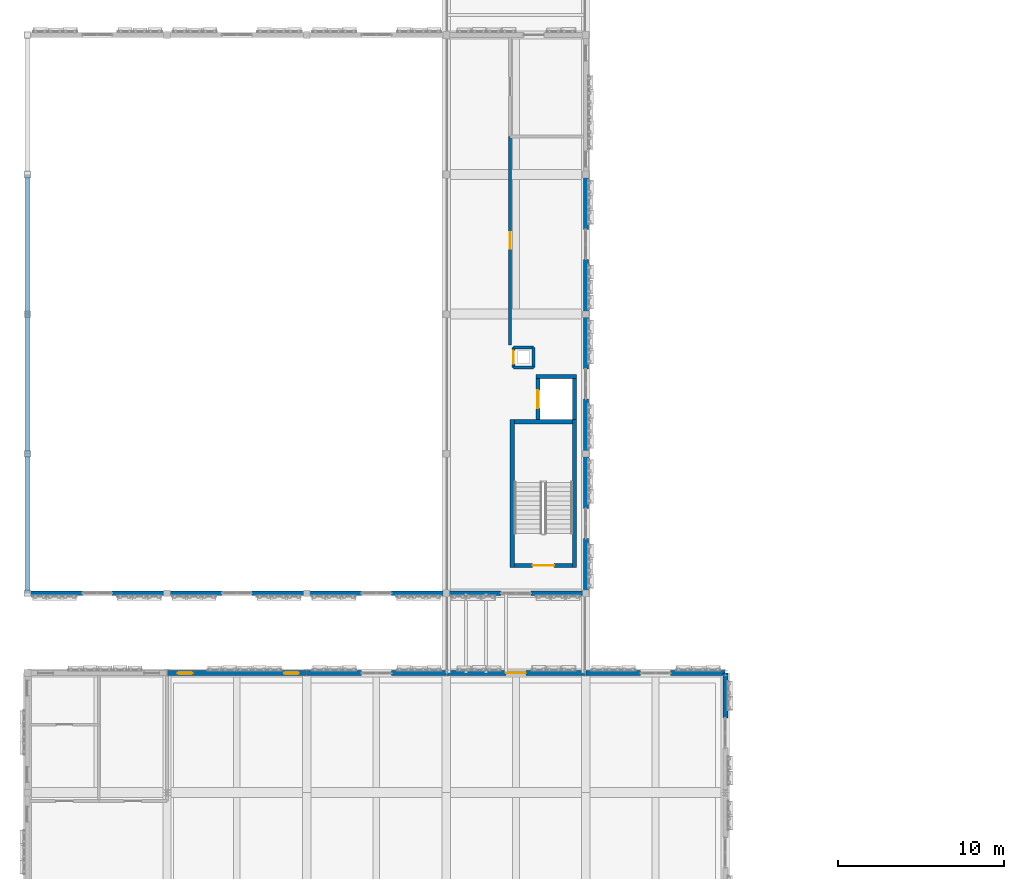
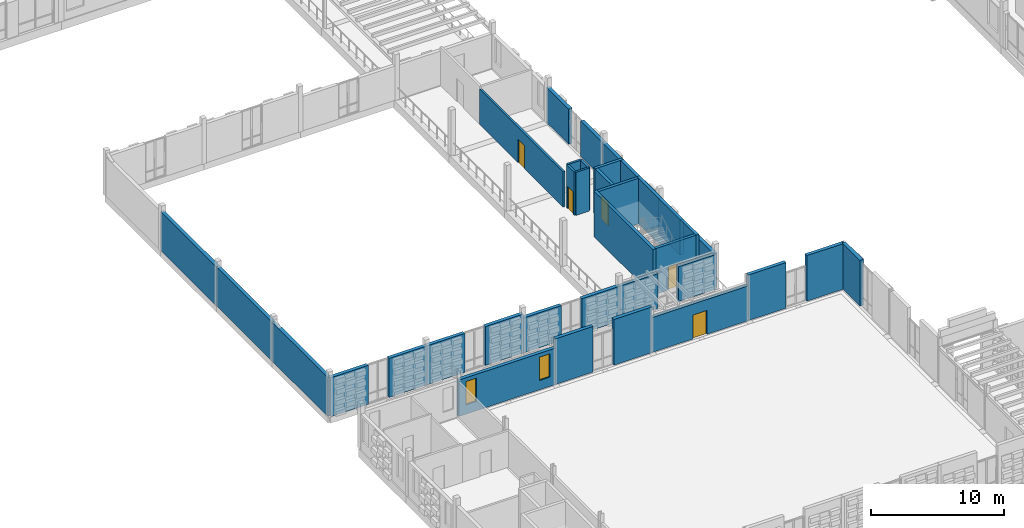
# One storey, part 66 of 99: 36 walls, 5 doors, 2 windows, 7 openings.
"""IFC4 building model written with IfcOpenShell, lengths in metres."""

from ifc_helpers import new_model, si_unit, direction, frame, frame_2d, origin, place, context, subcontext, project, spatial, rectangle, extrude, material, layer, layer_set, type_object, element, fill, save


model = new_model("IFC4")

# Units and contexts
model_context = context("Model", 3, precision=1e-05, world=origin(), true_north=direction((0.0, 1.0)))
body_context = subcontext(model_context, "Body", "Model", "MODEL_VIEW")
ifc_project = project(units=[si_unit("LENGTHUNIT", "METRE"), si_unit("AREAUNIT", "SQUARE_METRE"), si_unit("VOLUMEUNIT", "CUBIC_METRE"), si_unit("PLANEANGLEUNIT", "RADIAN"), si_unit("MASSUNIT", "GRAM", prefix="KILO")], contexts=[model_context])

# Site, building, storey
site_placement = place(None, origin())
site = spatial("IfcSite", under=ifc_project, at=site_placement, CompositionType="ELEMENT")
building_placement = place(site_placement, origin())
building = spatial("IfcBuilding", under=site, at=building_placement, Name="Kahlenmark Community Centre", CompositionType="ELEMENT")
storey_placement = place(building_placement, frame((0.0, 0.0, 5.39990234375)))
storey = spatial("IfcBuildingStorey", under=building, at=storey_placement, Name="L01", CompositionType="ELEMENT", Elevation=5.39990234375)

# Wall, opening, door
ifc_material_1 = material(Name="Concrete C35/45", Category="concrete")
ifc_layer_1 = layer(ifc_material_1, 0.25)
ifc_layer_set_1 = layer_set([ifc_layer_1], Name="Concrete C35/45")
wall_type_1 = type_object("IfcWallType", Name="WT-CORE-250", PredefinedType="SHEAR", material=ifc_layer_set_1)
wall_1_placement = place(storey_placement, frame((33.300048828125, 44.074951171875, 0.0), z_axis=(0.0, 0.0, 1.0), x_axis=(1.0, 0.0, 0.0)))
wall_1 = element("IfcWall", 1, at=wall_1_placement, inside=storey, type_object=wall_type_1, Name="Core K2 shear wall WL-CORE-K2-L01-0050", PredefinedType="SHEAR", context=body_context, shape_type="SweptSolid", body=[
    extrude(rectangle(XDim=3.5, YDim=0.25, at=frame_2d((1.75, 0.0))), origin(), (0.0, 0.0, 1.0), 4.2001953125),
])
opening_1_placement = place(wall_1_placement, frame((1.10009765625, 0.0, -0.010009765625)))
opening_1 = element("IfcOpeningElement", 2, at=opening_1_placement, cuts=wall_1, Name="Opening FD-K2-L01", PredefinedType="OPENING", context=body_context, shape_type="SweptSolid", body=[
    extrude(rectangle(XDim=1.300048828125, YDim=2.159912109375, at=frame_2d((0.64990234375, 1.080078125))), frame((0.0, 0.135009765625, 0.0), z_axis=(0.0, -1.0, 0.0), x_axis=(1.0, 0.0, 0.0)), (0.0, 0.0, 1.0), 0.27001953125),
])
ifc_material_2 = material(Name="Fire-rated steel-framed timber door FD60S", Category="steel")
door_type_1 = type_object("IfcDoorType", Name="DT-FD-K2-L01", OperationType="NOTDEFINED", PredefinedType="DOOR", material=ifc_material_2)
door_1_placement = place(opening_1_placement, frame((0.0, 0.0, 0.010009765625)))
door_1 = element("IfcDoor", 3, at=door_1_placement, inside=storey, type_object=door_type_1, Name="Core K2 stair fire door L01", OperationType="SINGLE_SWING_RIGHT", OverallHeight=2.14990234375, OverallWidth=1.300048828125, PredefinedType="DOOR", context=body_context, shape_type="SweptSolid", body=[
    extrude(rectangle(XDim=1.300048828125, YDim=2.14990234375, at=frame_2d((0.64990234375, 1.074951171875))), frame((0.0, 0.02490234375, 0.0), z_axis=(0.0, -1.0, 0.0), x_axis=(1.0, 0.0, 0.0)), (0.0, 0.0, 1.0), 0.050048828125),
])
fill(opening_1, door_1)

# Walls
wall_2_placement = place(storey_placement, frame((33.175048828125, 43.949951171875, 0.0), z_axis=(0.0, 0.0, 1.0), x_axis=(0.0, 1.0, 0.0)))
element("IfcWall", 4, at=wall_2_placement, inside=storey, type_object=wall_type_1, Name="Core K2 shear wall WL-CORE-K2-L01-0051", PredefinedType="SHEAR", context=body_context, shape_type="SweptSolid", body=[
    extrude(rectangle(XDim=8.900146484375, YDim=0.25, at=frame_2d((4.4501953125, 0.0))), origin(), (0.0, 0.0, 1.0), 4.2001953125),
])
wall_3_placement = place(storey_placement, frame((36.800048828125, 52.72509765625, 0.0), z_axis=(0.0, 0.0, 1.0), x_axis=(-1.0, 0.0, 0.0)))
element("IfcWall", 5, at=wall_3_placement, inside=storey, type_object=wall_type_1, Name="Core K2 shear wall WL-CORE-K2-L01-0052", PredefinedType="SHEAR", context=body_context, shape_type="SweptSolid", body=[
    extrude(rectangle(XDim=3.5, YDim=0.25, at=frame_2d((1.75, 0.0))), origin(), (0.0, 0.0, 1.0), 4.2001953125),
])
wall_4_placement = place(storey_placement, frame((36.925048828125, 43.949951171875, 0.0), z_axis=(0.0, 0.0, 1.0), x_axis=(0.0, 1.0, 0.0)))
element("IfcWall", 6, at=wall_4_placement, inside=storey, type_object=wall_type_1, Name="Core K2 shear wall WL-CORE-K2-L01-0053", PredefinedType="SHEAR", context=body_context, shape_type="SweptSolid", body=[
    extrude(rectangle(XDim=8.900146484375, YDim=0.25, at=frame_2d((4.4501953125, 0.0))), origin(), (0.0, 0.0, 1.0), 4.2001953125),
])
wall_5_placement = place(storey_placement, frame((34.590087890625, 55.43505859375, 0.0), z_axis=(0.0, 0.0, 1.0), x_axis=(1.0, 0.0, 0.0)))
element("IfcWall", 7, at=wall_5_placement, inside=storey, type_object=wall_type_1, Name="Core K2 shear wall WL-CORE-K2-L01-0054", PredefinedType="SHEAR", context=body_context, shape_type="SweptSolid", body=[
    extrude(rectangle(XDim=2.4599609375, YDim=0.25, at=frame_2d((1.22998046875, 0.0))), origin(), (0.0, 0.0, 1.0), 4.2001953125),
])

# Wall, opening, door
wall_6_placement = place(storey_placement, frame((34.715087890625, 52.85009765625, 0.0), z_axis=(0.0, 0.0, 1.0), x_axis=(0.0, 1.0, 0.0)))
wall_6 = element("IfcWall", 8, at=wall_6_placement, inside=storey, type_object=wall_type_1, Name="Core K2 shear wall WL-CORE-K2-L01-0055", PredefinedType="SHEAR", context=body_context, shape_type="SweptSolid", body=[
    extrude(rectangle(XDim=2.4599609375, YDim=0.25, at=frame_2d((1.22998046875, 0.0))), origin(), (0.0, 0.0, 1.0), 4.2001953125),
])
opening_2_placement = place(wall_6_placement, frame((0.679931640625, 0.0, -0.010009765625)))
opening_2 = element("IfcOpeningElement", 9, at=opening_2_placement, cuts=wall_6, Name="Opening LD-2", PredefinedType="OPENING", context=body_context, shape_type="SweptSolid", body=[
    extrude(rectangle(XDim=1.10009765625, YDim=2.159912109375, at=frame_2d((0.550048828125, 1.080078125))), frame((0.0, 0.135009765625, 0.0), z_axis=(0.0, -1.0, 0.0), x_axis=(1.0, 0.0, 0.0)), (0.0, 0.0, 1.0), 0.27001953125),
])
ifc_material_3 = material(Name="Brushed stainless steel sliding lift landing door", Category="steel")
door_type_2 = type_object("IfcDoorType", Name="DT-LD-K2", OperationType="SLIDING_TO_LEFT", PredefinedType="DOOR", material=ifc_material_3)
door_2_placement = place(opening_2_placement, frame((0.0, 0.0, 0.010009765625)))
door_2 = element("IfcDoor", 10, at=door_2_placement, inside=storey, type_object=door_type_2, Name="Lift LF-02 sliding landing door L01", OperationType="SLIDING_TO_LEFT", OverallHeight=2.14990234375, OverallWidth=1.10009765625, PredefinedType="DOOR", context=body_context, shape_type="SweptSolid", body=[
    extrude(rectangle(XDim=1.10009765625, YDim=2.14990234375, at=frame_2d((0.550048828125, 1.074951171875))), frame((0.0, 0.02490234375, 0.0), z_axis=(0.0, -1.0, 0.0), x_axis=(1.0, 0.0, 0.0)), (0.0, 0.0, 1.0), 0.050048828125),
])
fill(opening_2, door_2)

# Wall
wall_7_placement = place(storey_placement, frame((36.925048828125, 52.85009765625, 0.0), z_axis=(0.0, 0.0, 1.0), x_axis=(0.0, 1.0, 0.0)))
element("IfcWall", 11, at=wall_7_placement, inside=storey, type_object=wall_type_1, Name="Core K2 shear wall WL-CORE-K2-L01-0056", PredefinedType="SHEAR", context=body_context, shape_type="SweptSolid", body=[
    extrude(rectangle(XDim=2.7099609375, YDim=0.25, at=frame_2d((1.35498046875, 0.0))), origin(), (0.0, 0.0, 1.0), 4.2001953125),
])

# Wall, openings, windows
ifc_material_4 = material(Name="Cross-laminated timber CLT C24", Category="wood")
ifc_layer_2 = layer(ifc_material_4, 0.300048828125)
ifc_layer_set_2 = layer_set([ifc_layer_2], Name="Cross-laminated timber CLT C24")
wall_type_2 = type_object("IfcWallType", Name="WT-EW-300", PredefinedType="SOLIDWALL", material=ifc_layer_set_2)
wall_8_placement = place(storey_placement, frame((20.800048828125, 37.60009765625, 0.0), z_axis=(0.0, 0.0, 1.0), x_axis=(-1.0, 0.0, 0.0)))
wall_8 = element("IfcWall", 12, at=wall_8_placement, inside=storey, type_object=wall_type_2, Name="Exterior wall WL-EXT-L01-0254", PredefinedType="SOLIDWALL", context=body_context, shape_type="SweptSolid", body=[
    extrude(rectangle(XDim=8.400146484375, YDim=0.300048828125, at=frame_2d((4.2001953125, 0.0))), origin(), (0.0, 0.0, 1.0), 3.35009765625),
])
opening_3_placement = place(wall_8_placement, frame((0.4599609375, 0.0, 0.85009765625)))
opening_3 = element("IfcOpeningElement", 13, at=opening_3_placement, cuts=wall_8, Name="Opening W-090X215", PredefinedType="OPENING", context=body_context, shape_type="SweptSolid", body=[
    extrude(rectangle(XDim=0.89990234375, YDim=2.14990234375, at=frame_2d((0.449951171875, 1.074951171875))), frame((0.0, 0.159912109375, 0.0), z_axis=(0.0, -1.0, 0.0), x_axis=(1.0, 0.0, 0.0)), (0.0, 0.0, 1.0), 0.320068359375),
])
opening_4_placement = place(wall_8_placement, frame((6.860107421875, 0.0, 0.85009765625)))
opening_4 = element("IfcOpeningElement", 14, at=opening_4_placement, cuts=wall_8, Name="Opening W-090X215", PredefinedType="OPENING", context=body_context, shape_type="SweptSolid", body=[
    extrude(rectangle(XDim=0.89990234375, YDim=2.14990234375, at=frame_2d((0.449951171875, 1.074951171875))), frame((0.0, 0.159912109375, 0.0), z_axis=(0.0, -1.0, 0.0), x_axis=(1.0, 0.0, 0.0)), (0.0, 0.0, 1.0), 0.320068359375),
])
ifc_material_5 = material(Name="Recessed basketweave aperture triple glazing", Category="glass")
window_type = type_object("IfcWindowType", Name="WNT-090X215", PartitioningType="SINGLE_PANEL", PredefinedType="WINDOW", material=ifc_material_5)
window_1_placement = place(opening_3_placement, origin())
window_1 = element("IfcWindow", 15, at=window_1_placement, inside=storey, type_object=window_type, Name="Window W-090X215 #0171", OverallHeight=2.14990234375, OverallWidth=0.89990234375, PartitioningType="SINGLE_PANEL", PredefinedType="WINDOW", context=body_context, shape_type="SweptSolid", body=[
    extrude(rectangle(XDim=0.89990234375, YDim=2.14990234375, at=frame_2d((0.449951171875, 1.074951171875))), frame((0.0, 0.030029296875, 0.0), z_axis=(0.0, -1.0, 0.0), x_axis=(1.0, 0.0, 0.0)), (0.0, 0.0, 1.0), 0.06005859375),
])
fill(opening_3, window_1)
window_2_placement = place(opening_4_placement, origin())
window_2 = element("IfcWindow", 16, at=window_2_placement, inside=storey, type_object=window_type, Name="Window W-090X215 #0172", OverallHeight=2.14990234375, OverallWidth=0.89990234375, PartitioningType="SINGLE_PANEL", PredefinedType="WINDOW", context=body_context, shape_type="SweptSolid", body=[
    extrude(rectangle(XDim=0.89990234375, YDim=2.14990234375, at=frame_2d((0.449951171875, 1.074951171875))), frame((0.0, 0.030029296875, 0.0), z_axis=(0.0, -1.0, 0.0), x_axis=(1.0, 0.0, 0.0)), (0.0, 0.0, 1.0), 0.06005859375),
])
fill(opening_4, window_2)

# Walls
for number, where, z_axis, x_axis, name in (
    (17, (29.199951171875, 37.60009765625, 0.0), (0.0, 0.0, 1.0), (-1.0, 0.0, 0.0), "Basketweave backup wall WL-EXT-L01-0255"),
    (18, (24.10009765625, 37.60009765625, 0.0), (0.0, 0.0, 1.0), (-1.0, 0.0, 0.0), "Basketweave backup wall WL-EXT-L01-0256"),
):
    element("IfcWall", number, at=place(storey_placement, frame(where, z_axis=z_axis, x_axis=x_axis)), inside=storey, type_object=wall_type_2, Name=name, PredefinedType="SOLIDWALL", context=body_context, shape_type="SweptSolid", body=[
        extrude(rectangle(XDim=3.300048828125, YDim=0.300048828125, at=frame_2d((1.64990234375, 0.0))), origin(), (0.0, 0.0, 1.0), 4.2001953125),
    ])

# Wall, opening, door
wall_9_placement = place(storey_placement, frame((37.60009765625, 37.60009765625, 0.0), z_axis=(0.0, 0.0, 1.0), x_axis=(-1.0, 0.0, 0.0)))
wall_9 = element("IfcWall", 19, at=wall_9_placement, inside=storey, type_object=wall_type_2, Name="Exterior wall WL-EXT-L01-0257", PredefinedType="SOLIDWALL", context=body_context, shape_type="SweptSolid", body=[
    extrude(rectangle(XDim=8.400146484375, YDim=0.300048828125, at=frame_2d((4.2001953125, 0.0))), origin(), (0.0, 0.0, 1.0), 3.210205078125),
])
opening_5_placement = place(wall_9_placement, frame((3.60009765625, 0.0, -0.010009765625)))
opening_5 = element("IfcOpeningElement", 20, at=opening_5_placement, cuts=wall_9, Name="Opening D-TER07", PredefinedType="OPENING", context=body_context, shape_type="SweptSolid", body=[
    extrude(rectangle(XDim=1.199951171875, YDim=2.2099609375, at=frame_2d((0.60009765625, 1.10498046875))), frame((0.0, 0.159912109375, 0.0), z_axis=(0.0, -1.0, 0.0), x_axis=(1.0, 0.0, 0.0)), (0.0, 0.0, 1.0), 0.320068359375),
])
ifc_material_6 = material(Name="Thermally broken glazed aluminium terrace door", Category="aluminium")
door_type_3 = type_object("IfcDoorType", Name="DT-EXT-120X220", OperationType="NOTDEFINED", PredefinedType="DOOR", material=ifc_material_6)
door_3_placement = place(opening_5_placement, frame((0.0, 0.0, 0.010009765625)))
door_3 = element("IfcDoor", 21, at=door_3_placement, inside=storey, type_object=door_type_3, Name="Exterior door D-TER07", OperationType="SINGLE_SWING_LEFT", OverallHeight=2.199951171875, OverallWidth=1.199951171875, PredefinedType="DOOR", context=body_context, shape_type="SweptSolid", body=[
    extrude(rectangle(XDim=1.199951171875, YDim=2.199951171875, at=frame_2d((0.60009765625, 1.10009765625))), frame((0.0, 0.02490234375, 0.0), z_axis=(0.0, -1.0, 0.0), x_axis=(1.0, 0.0, 0.0)), (0.0, 0.0, 1.0), 0.050048828125),
])
fill(opening_5, door_3)

# Walls
wall_10_placement = place(storey_placement, frame((46.0, 37.60009765625, 0.0), z_axis=(0.0, 0.0, 1.0), x_axis=(-1.0, 0.0, 0.0)))
element("IfcWall", 22, at=wall_10_placement, inside=storey, type_object=wall_type_2, Name="Basketweave backup wall WL-EXT-L01-0258", PredefinedType="SOLIDWALL", context=body_context, shape_type="SweptSolid", body=[
    extrude(rectangle(XDim=3.300048828125, YDim=0.300048828125, at=frame_2d((1.64990234375, 0.0))), origin(), (0.0, 0.0, 1.0), 4.2001953125),
])
wall_11_placement = place(storey_placement, frame((40.89990234375, 37.60009765625, 0.0), z_axis=(0.0, 0.0, 1.0), x_axis=(-1.0, 0.0, 0.0)))
element("IfcWall", 23, at=wall_11_placement, inside=storey, type_object=wall_type_2, Name="Basketweave backup wall WL-EXT-L01-0259", PredefinedType="SOLIDWALL", context=body_context, shape_type="SweptSolid", body=[
    extrude(rectangle(XDim=3.2998046875, YDim=0.300048828125, at=frame_2d((1.64990234375, 0.0))), origin(), (0.0, 0.0, 1.0), 4.2001953125),
])
wall_12_placement = place(storey_placement, frame((46.0, 34.89990234375, 0.0), z_axis=(0.0, 0.0, 1.0), x_axis=(0.0, 1.0, 0.0)))
element("IfcWall", 24, at=wall_12_placement, inside=storey, type_object=wall_type_2, Name="Basketweave backup wall WL-EXT-L01-0270", PredefinedType="SOLIDWALL", context=body_context, shape_type="SweptSolid", body=[
    extrude(rectangle(XDim=2.7001953125, YDim=0.300048828125, at=frame_2d((1.35009765625, 0.0))), origin(), (0.0, 0.0, 1.0), 4.2001953125),
])
wall_13_placement = place(storey_placement, frame((4.0, 42.39990234375, 0.0), z_axis=(0.0, 0.0, 1.0), x_axis=(1.0, 0.0, 0.0)))
element("IfcWall", 25, at=wall_13_placement, inside=storey, type_object=wall_type_2, Name="Basketweave backup wall WL-EXT-L01-0271", PredefinedType="SOLIDWALL", context=body_context, shape_type="SweptSolid", body=[
    extrude(rectangle(XDim=3.300048828125, YDim=0.300048828125, at=frame_2d((1.64990234375, 0.0))), origin(), (0.0, 0.0, 1.0), 3.590087890625),
])
wall_14_placement = place(storey_placement, frame((9.10009765625, 42.39990234375, 0.0), z_axis=(0.0, 0.0, 1.0), x_axis=(1.0, 0.0, 0.0)))
element("IfcWall", 26, at=wall_14_placement, inside=storey, type_object=wall_type_2, Name="Basketweave backup wall WL-EXT-L01-0272", PredefinedType="SOLIDWALL", context=body_context, shape_type="SweptSolid", body=[
    extrude(rectangle(XDim=3.2998046875, YDim=0.300048828125, at=frame_2d((1.64990234375, 0.0))), origin(), (0.0, 0.0, 1.0), 3.590087890625),
])
for number, where, z_axis, x_axis, name in (
    (27, (12.39990234375, 42.39990234375, 0.0), (0.0, 0.0, 1.0), (1.0, 0.0, 0.0), "Basketweave backup wall WL-EXT-L01-0273"),
    (28, (17.5, 42.39990234375, 0.0), (0.0, 0.0, 1.0), (1.0, 0.0, 0.0), "Basketweave backup wall WL-EXT-L01-0274"),
):
    element("IfcWall", number, at=place(storey_placement, frame(where, z_axis=z_axis, x_axis=x_axis)), inside=storey, type_object=wall_type_2, Name=name, PredefinedType="SOLIDWALL", context=body_context, shape_type="SweptSolid", body=[
        extrude(rectangle(XDim=3.300048828125, YDim=0.300048828125, at=frame_2d((1.64990234375, 0.0))), origin(), (0.0, 0.0, 1.0), 3.590087890625),
    ])
for number, where, z_axis, x_axis, name in (
    (29, (20.800048828125, 42.39990234375, 0.0), (0.0, 0.0, 1.0), (1.0, 0.0, 0.0), "Basketweave backup wall WL-EXT-L01-0275"),
    (30, (25.89990234375, 42.39990234375, 0.0), (0.0, 0.0, 1.0), (1.0, 0.0, 0.0), "Basketweave backup wall WL-EXT-L01-0276"),
    (31, (29.199951171875, 42.39990234375, 0.0), (0.0, 0.0, 1.0), (1.0, 0.0, 0.0), "Basketweave backup wall WL-EXT-L01-0277"),
    (32, (34.300048828125, 42.39990234375, 0.0), (0.0, 0.0, 1.0), (1.0, 0.0, 0.0), "Basketweave backup wall WL-EXT-L01-0278"),
):
    element("IfcWall", number, at=place(storey_placement, frame(where, z_axis=z_axis, x_axis=x_axis)), inside=storey, type_object=wall_type_2, Name=name, PredefinedType="SOLIDWALL", context=body_context, shape_type="SweptSolid", body=[
        extrude(rectangle(XDim=3.300048828125, YDim=0.300048828125, at=frame_2d((1.64990234375, 0.0))), origin(), (0.0, 0.0, 1.0), 3.210205078125),
    ])
wall_15_placement = place(storey_placement, frame((4.0, 50.800048828125, 0.0), z_axis=(0.0, 0.0, 1.0), x_axis=(0.0, -1.0, 0.0)))
element("IfcWall", 33, at=wall_15_placement, inside=storey, type_object=wall_type_2, Name="Exterior wall WL-EXT-L01-0286", PredefinedType="SOLIDWALL", context=body_context, shape_type="SweptSolid", body=[
    extrude(rectangle(XDim=8.400146484375, YDim=0.300048828125, at=frame_2d((4.2001953125, 0.0))), origin(), (0.0, 0.0, 1.0), 3.590087890625),
])
wall_16_placement = place(storey_placement, frame((4.0, 59.199951171875, 0.0), z_axis=(0.0, 0.0, 1.0), x_axis=(0.0, -1.0, 0.0)))
element("IfcWall", 34, at=wall_16_placement, inside=storey, type_object=wall_type_2, Name="Exterior wall WL-EXT-L01-0287", PredefinedType="SOLIDWALL", context=body_context, shape_type="SweptSolid", body=[
    extrude(rectangle(XDim=8.39990234375, YDim=0.300048828125, at=frame_2d((4.199951171875, 0.0))), origin(), (0.0, 0.0, 1.0), 3.590087890625),
])
wall_17_placement = place(storey_placement, frame((4.0, 67.60009765625, 0.0), z_axis=(0.0, 0.0, 1.0), x_axis=(0.0, -1.0, 0.0)))
element("IfcWall", 35, at=wall_17_placement, inside=storey, type_object=wall_type_2, Name="Exterior wall WL-EXT-L01-0288", PredefinedType="SOLIDWALL", context=body_context, shape_type="SweptSolid", body=[
    extrude(rectangle(XDim=8.400146484375, YDim=0.300048828125, at=frame_2d((4.2001953125, 0.0))), origin(), (0.0, 0.0, 1.0), 3.590087890625),
])
for number, where, z_axis, x_axis, name in (
    (36, (37.60009765625, 42.39990234375, 0.0), (0.0, 0.0, 1.0), (0.0, 1.0, 0.0), "Basketweave backup wall WL-EXT-L01-0290"),
    (37, (37.60009765625, 47.5, 0.0), (0.0, 0.0, 1.0), (0.0, 1.0, 0.0), "Basketweave backup wall WL-EXT-L01-0291"),
):
    element("IfcWall", number, at=place(storey_placement, frame(where, z_axis=z_axis, x_axis=x_axis)), inside=storey, type_object=wall_type_2, Name=name, PredefinedType="SOLIDWALL", context=body_context, shape_type="SweptSolid", body=[
        extrude(rectangle(XDim=3.300048828125, YDim=0.300048828125, at=frame_2d((1.64990234375, 0.0))), origin(), (0.0, 0.0, 1.0), 3.210205078125),
    ])
for number, where, z_axis, x_axis, name in (
    (38, (37.60009765625, 50.800048828125, 0.0), (0.0, 0.0, 1.0), (0.0, 1.0, 0.0), "Basketweave backup wall WL-EXT-L01-0292"),
    (39, (37.60009765625, 55.89990234375, 0.0), (0.0, 0.0, 1.0), (0.0, 1.0, 0.0), "Basketweave backup wall WL-EXT-L01-0293"),
    (40, (37.60009765625, 59.199951171875, 0.0), (0.0, 0.0, 1.0), (0.0, 1.0, 0.0), "Basketweave backup wall WL-EXT-L01-0294"),
    (41, (37.60009765625, 64.300048828125, 0.0), (0.0, 0.0, 1.0), (0.0, 1.0, 0.0), "Basketweave backup wall WL-EXT-L01-0295"),
):
    element("IfcWall", number, at=place(storey_placement, frame(where, z_axis=z_axis, x_axis=x_axis)), inside=storey, type_object=wall_type_2, Name=name, PredefinedType="SOLIDWALL", context=body_context, shape_type="SweptSolid", body=[
        extrude(rectangle(XDim=3.300048828125, YDim=0.300048828125, at=frame_2d((1.64990234375, 0.0))), origin(), (0.0, 0.0, 1.0), 3.25),
    ])

# Wall, opening, door
ifc_material_7 = material(Name="Gypsum plasterboard partition", Category="gypsum")
ifc_layer_3 = layer(ifc_material_7, 0.179931640625)
ifc_layer_set_3 = layer_set([ifc_layer_3], Name="Gypsum plasterboard partition")
wall_type_3 = type_object("IfcWallType", Name="WT-PW-180", PredefinedType="PARTITIONING", material=ifc_layer_set_3)
wall_18_placement = place(storey_placement, frame((33.050048828125, 57.35009765625, 0.0), z_axis=(0.0, 0.0, 1.0), x_axis=(0.0, 1.0, 0.0)))
wall_18 = element("IfcWall", 42, at=wall_18_placement, inside=storey, type_object=wall_type_3, Name="Interior partition WL-INT-L01-0102", PredefinedType="PARTITIONING", context=body_context, shape_type="SweptSolid", body=[
    extrude(rectangle(XDim=12.5498046875, YDim=0.179931640625, at=frame_2d((6.27490234375, 0.0))), origin(), (0.0, 0.0, 1.0), 3.25),
])
opening_6_placement = place(wall_18_placement, frame((5.77490234375, 0.0, -0.010009765625)))
opening_6 = element("IfcOpeningElement", 43, at=opening_6_placement, cuts=wall_18, Name="Opening D-L01-061", PredefinedType="OPENING", context=body_context, shape_type="SweptSolid", body=[
    extrude(rectangle(XDim=1.0, YDim=2.159912109375, at=frame_2d((0.5, 1.080078125))), frame((0.0, 0.099853515625, 0.0), z_axis=(0.0, -1.0, 0.0), x_axis=(1.0, 0.0, 0.0)), (0.0, 0.0, 1.0), 0.199951171875),
])
ifc_material_8 = material(Name="Oak timber veneer door leaf", Category="wood")
door_type_4 = type_object("IfcDoorType", Name="DT-INT-100X215", OperationType="NOTDEFINED", PredefinedType="DOOR", material=ifc_material_8)
door_4_placement = place(opening_6_placement, frame((0.0, 0.0, 0.010009765625)))
door_4 = element("IfcDoor", 44, at=door_4_placement, inside=storey, type_object=door_type_4, Name="Interior door D-L01-061", OperationType="SINGLE_SWING_RIGHT", OverallHeight=2.14990234375, OverallWidth=1.0, PredefinedType="DOOR", context=body_context, shape_type="SweptSolid", body=[
    extrude(rectangle(XDim=1.0, YDim=2.14990234375, at=frame_2d((0.5, 1.074951171875))), frame((0.0, 0.02490234375, 0.0), z_axis=(0.0, -1.0, 0.0), x_axis=(1.0, 0.0, 0.0)), (0.0, 0.0, 1.0), 0.050048828125),
])
fill(opening_6, door_4)

# Walls
ifc_material_9 = material(Name="Masonry blockwork", Category="masonry")
ifc_layer_4 = layer(ifc_material_9, 0.179931640625)
ifc_layer_set_4 = layer_set([ifc_layer_4], Name="Masonry blockwork")
wall_type_4 = type_object("IfcWallType", Name="WT-RISER-180", PredefinedType="SOLIDWALL", material=ifc_layer_set_4)
for number, where, z_axis, x_axis, name in (
    (45, (33.25, 56.0, 0.0), (0.0, 0.0, 1.0), (1.0, 0.0, 0.0), "Riser RS-02 shaft wall L01.1"),
    (46, (34.449951171875, 56.0, 0.0), (0.0, 0.0, 1.0), (0.0, 1.0, 0.0), "Riser RS-02 shaft wall L01.2"),
    (47, (34.449951171875, 57.199951171875, 0.0), (0.0, 0.0, 1.0), (-1.0, 0.0, 0.0), "Riser RS-02 shaft wall L01.3"),
):
    element("IfcWall", number, at=place(storey_placement, frame(where, z_axis=z_axis, x_axis=x_axis)), inside=storey, type_object=wall_type_4, Name=name, PredefinedType="SOLIDWALL", context=body_context, shape_type="SweptSolid", body=[
        extrude(rectangle(XDim=1.199951171875, YDim=0.179931640625, at=frame_2d((0.60009765625, 0.0))), origin(), (0.0, 0.0, 1.0), 3.97021484375),
    ])

# Wall, opening, door
wall_19_placement = place(storey_placement, frame((33.25, 57.199951171875, 0.0), z_axis=(0.0, 0.0, 1.0), x_axis=(0.0, -1.0, 0.0)))
wall_19 = element("IfcWall", 48, at=wall_19_placement, inside=storey, type_object=wall_type_4, Name="Riser RS-02 shaft wall L01.4", PredefinedType="SOLIDWALL", context=body_context, shape_type="SweptSolid", body=[
    extrude(rectangle(XDim=1.199951171875, YDim=0.179931640625, at=frame_2d((0.60009765625, 0.0))), origin(), (0.0, 0.0, 1.0), 3.97021484375),
])
opening_7_placement = place(wall_19_placement, frame((0.199951171875, 0.0, -0.010009765625)))
opening_7 = element("IfcOpeningElement", 49, at=opening_7_placement, cuts=wall_19, Name="Opening FD-RS80", PredefinedType="OPENING", context=body_context, shape_type="SweptSolid", body=[
    extrude(rectangle(XDim=0.800048828125, YDim=2.06005859375, at=frame_2d((0.39990234375, 1.030029296875))), frame((0.0, 0.099853515625, 0.0), z_axis=(0.0, -1.0, 0.0), x_axis=(1.0, 0.0, 0.0)), (0.0, 0.0, 1.0), 0.199951171875),
])
ifc_material_10 = material(Name="Fire-rated steel service riser door FD60S", Category="steel")
door_type_5 = type_object("IfcDoorType", Name="DT-RISER-80X205", OperationType="NOTDEFINED", PredefinedType="DOOR", material=ifc_material_10)
door_5_placement = place(opening_7_placement, frame((0.0, 0.0, 0.010009765625)))
door_5 = element("IfcDoor", 50, at=door_5_placement, inside=storey, type_object=door_type_5, Name="Riser RS-02 access door L01", OperationType="SINGLE_SWING_LEFT", OverallHeight=2.050048828125, OverallWidth=0.800048828125, PredefinedType="DOOR", context=body_context, shape_type="SweptSolid", body=[
    extrude(rectangle(XDim=0.800048828125, YDim=2.050048828125, at=frame_2d((0.39990234375, 1.02490234375))), frame((0.0, 0.02490234375, 0.0), z_axis=(0.0, -1.0, 0.0), x_axis=(1.0, 0.0, 0.0)), (0.0, 0.0, 1.0), 0.050048828125),
])
fill(opening_7, door_5)

save(model, "model.ifc")
